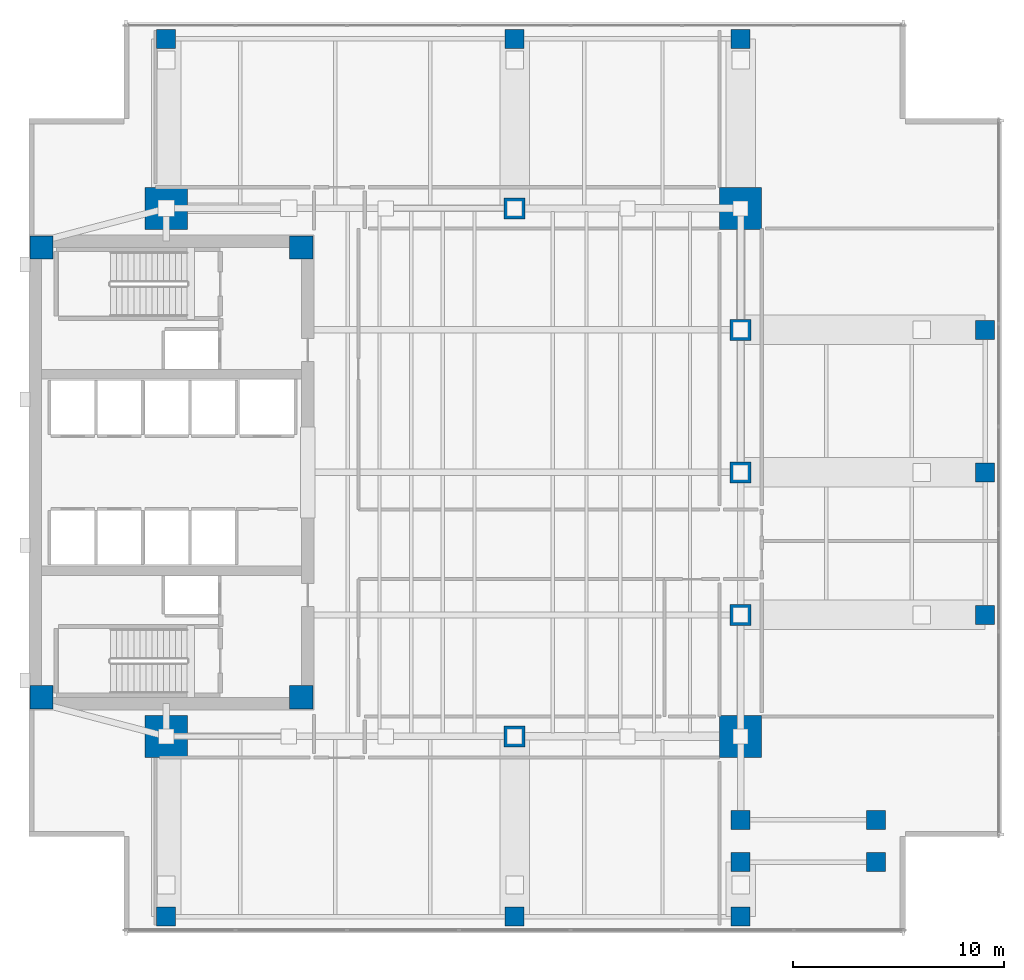
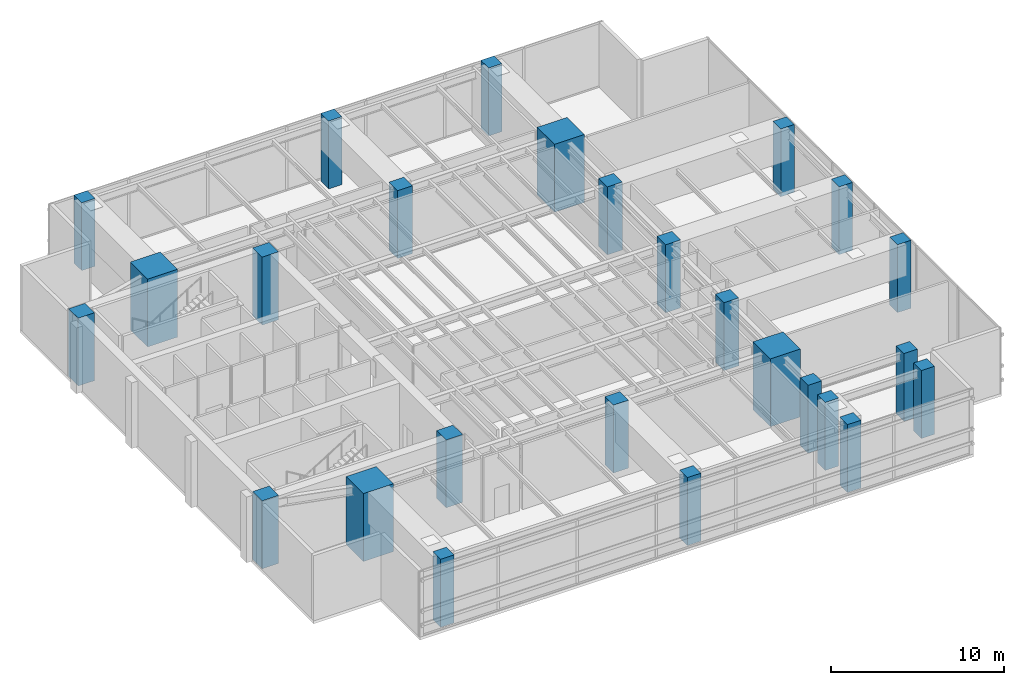
# One storey, part 1 of 14: 26 columns.
"""IFC4 building model written with IfcOpenShell, lengths in metres."""

import ifcopenshell
import ifcopenshell.guid

model = None  # the IFC model being written
_history = None  # IfcOwnerHistory: only IFC2X3 demands one
_inside = {}  # id of a spatial element -> (the spatial element, [elements in it])
_under = {}  # id of a project, library or spatial element -> (it, [spatial elements below it])
_declared = {}  # id of a project -> (the project, [libraries it declares])
_typed = {}  # id of a type object -> (the type object, [elements of that type])
_made_of = {}  # id of a material, layer set ... -> (it, [elements and type objects made of it])


def new_model(schema):
    """Start an empty IFC model of exactly this schema.

    Asked for "IFC4X3", IfcOpenShell would pick the latest addendum, in which some entities
    have other attributes; the version numbers below select the first issue.
    IFC2X3 requires an IfcOwnerHistory on every rooted entity: one is made here for all.
    """
    global model, _history
    if schema == "IFC4X3":
        model = ifcopenshell.file(schema_version=(4, 3, 0, 0))
    else:
        model = ifcopenshell.file(schema=schema)
    _inside.clear()
    _under.clear()
    _declared.clear()
    _typed.clear()
    _made_of.clear()
    _history = None
    if model.schema == "IFC2X3":
        org = make("IfcOrganization", Name="unknown")
        user = make(
            "IfcPersonAndOrganization",
            ThePerson=make("IfcPerson", FamilyName="unknown"),
            TheOrganization=org,
        )
        app = make(
            "IfcApplication",
            ApplicationDeveloper=org,
            Version="unknown",
            ApplicationFullName="unknown",
            ApplicationIdentifier="unknown",
        )
        _history = make(
            "IfcOwnerHistory",
            OwningUser=user,
            OwningApplication=app,
            ChangeAction="ADDED",
            CreationDate=0,
        )
    return model


def make(cls, **values):
    """One entity of the class cls with the attributes given. An attribute that is None is left unset."""
    return model.create_entity(
        cls, **{name: value for name, value in values.items() if value is not None}
    )


def rooted(cls, **values):
    """An entity with a GlobalId (a new one), such as an element, a storey or a relation."""
    return make(cls, GlobalId=ifcopenshell.guid.new(), OwnerHistory=_history, **values)


def si_unit(unit_type, name, prefix=None):
    """IfcSIUnit, for example si_unit("LENGTHUNIT", "METRE", prefix="MILLI")."""
    return make("IfcSIUnit", UnitType=unit_type, Prefix=prefix, Name=name)


def assignment(units):
    """IfcUnitAssignment: the units of a project."""
    return None if units is None else make("IfcUnitAssignment", Units=units)


def point(xyz):
    """IfcCartesianPoint."""
    return None if xyz is None else make("IfcCartesianPoint", Coordinates=xyz)


def direction(xyz):
    """IfcDirection."""
    return None if xyz is None else make("IfcDirection", DirectionRatios=xyz)


def frame(location, z_axis=None, x_axis=None):
    """IfcAxis2Placement3D, a coordinate frame: its origin and axes. An axis left out is left unset."""
    return make(
        "IfcAxis2Placement3D",
        Location=point(location),
        Axis=direction(z_axis),
        RefDirection=direction(x_axis),
    )


def frame_2d(location, x_axis=None):
    """IfcAxis2Placement2D, a coordinate frame in the plane: its origin and x axis."""
    return make(
        "IfcAxis2Placement2D", Location=point(location), RefDirection=direction(x_axis)
    )


def origin():
    """The frame at (0, 0, 0) with its axes left unset."""
    return frame((0.0, 0.0, 0.0))


def origin_2d():
    """The frame at (0, 0) in the plane with its x axis left unset."""
    return frame_2d((0.0, 0.0))


def place(relative_to, where):
    """IfcLocalPlacement: puts the frame where relative to a parent placement (None: the world)."""
    return make(
        "IfcLocalPlacement", PlacementRelTo=relative_to, RelativePlacement=where
    )


def context(
    kind, dimensions, precision=None, world=None, true_north=None, identifier=None
):
    """IfcGeometricRepresentationContext, for example the 3D "Model" context."""
    return make(
        "IfcGeometricRepresentationContext",
        ContextIdentifier=identifier,
        ContextType=kind,
        CoordinateSpaceDimension=dimensions,
        Precision=precision,
        WorldCoordinateSystem=world,
        TrueNorth=true_north,
    )


def subcontext(parent, identifier, kind, view, scale=None):
    """IfcGeometricRepresentationSubContext, for example "Body" below "Model"."""
    return make(
        "IfcGeometricRepresentationSubContext",
        ContextIdentifier=identifier,
        ContextType=kind,
        ParentContext=parent,
        TargetScale=scale,
        TargetView=view,
    )


def project(units=None, contexts=None):
    """IfcProject with its units and contexts."""
    return rooted(
        "IfcProject",
        Name="project",
        RepresentationContexts=contexts,
        UnitsInContext=assignment(units),
    )


def spatial(cls, under=None, at=None, **own):
    """A site, building, storey or space (cls), placed at a placement, below another one or the project."""
    s = rooted(cls, ObjectPlacement=at, **own)
    if under is not None:
        _under.setdefault(under.id(), (under, []))[1].append(s)
    return s


def profile(cls, at=None, kind="AREA", **sizes):
    """A parametric profile (cls). Its sizes go by their IFC names, for example OverallWidth=200.0."""
    return make(cls, ProfileType=kind, Position=at, **sizes)


def rectangle(**sizes):
    """IfcRectangleProfileDef."""
    return profile("IfcRectangleProfileDef", **sizes)


def extrude(swept, where, along, depth):
    """IfcExtrudedAreaSolid: the profile swept, set in the frame where, extruded along a direction by depth."""
    return make(
        "IfcExtrudedAreaSolid",
        SweptArea=swept,
        Position=where,
        ExtrudedDirection=direction(along),
        Depth=depth,
    )


def shape(context_of_items, identifier, shape_type, items):
    """IfcShapeRepresentation: the items that make up one representation, for example the "Body"."""
    return make(
        "IfcShapeRepresentation",
        ContextOfItems=context_of_items,
        RepresentationIdentifier=identifier,
        RepresentationType=shape_type,
        Items=items,
    )


def material(Name=None, Category=None):
    """IfcMaterial."""
    return make("IfcMaterial", Name=Name, Category=Category)


def material_profile(
    of_material, cross_section, Name=None, Category=None, Priority=None
):
    """IfcMaterialProfile: a cross section and its material."""
    return make(
        "IfcMaterialProfile",
        Name=Name,
        Material=of_material,
        Profile=cross_section,
        Priority=Priority,
        Category=Category,
    )


def profile_set(profiles, Name=None, composite=None):
    """IfcMaterialProfileSet."""
    return make(
        "IfcMaterialProfileSet",
        Name=Name,
        MaterialProfiles=profiles,
        CompositeProfile=composite,
    )


def made_of(thing, what):
    """Note that an element or type object is made of a material, layer set ...; save() writes the relation."""
    if what is not None:
        _made_of.setdefault(what.id(), (what, []))[1].append(thing)
    return thing


def type_object(cls, material=None, **own):
    """A type object (cls), such as IfcWallType, which elements share."""
    return made_of(rooted(cls, **own), material)


def element(
    cls,
    number,
    at=None,
    inside=None,
    cuts=None,
    type_object=None,
    material=None,
    context=None,
    identifier="Body",
    shape_type=None,
    held_by="IfcProductDefinitionShape",
    body=None,
    shapes=None,
    **own,
):
    """One element of the class cls, such as IfcWall. Its Tag is "e" and its number.

    at: its placement. inside: the storey or other place that contains it. cuts: it is an
    opening in that element (IfcRelVoidsElement). A single representation is given by context,
    identifier, shape_type and body (its items); several are given by shapes. held_by: the class
    of the entity that holds the representations. save() writes the other relations.
    """
    e = rooted(cls, Tag="e%d" % number, ObjectPlacement=at, **own)
    if body is not None:
        shapes = [shape(context, identifier, shape_type, body)]
    if shapes is not None:
        e.Representation = make(held_by, Representations=shapes)
    if inside is not None:
        _inside.setdefault(inside.id(), (inside, []))[1].append(e)
    if cuts is not None:
        rooted(
            "IfcRelVoidsElement", RelatingBuildingElement=cuts, RelatedOpeningElement=e
        )
    if type_object is not None:
        _typed.setdefault(type_object.id(), (type_object, []))[1].append(e)
    return made_of(e, material)


def aggregate(whole, parts):
    """IfcRelAggregates: a whole, such as a stair, and the parts it consists of."""
    return rooted("IfcRelAggregates", RelatingObject=whole, RelatedObjects=parts)


def save(model, path):
    """Write the relations noted so far, then the file.

    IfcRelAggregates (storeys below a building ...), IfcRelContainedInSpatialStructure (elements
    in a storey), IfcRelDefinesByType, IfcRelAssociatesMaterial and IfcRelDeclares: one each for
    every whole, place, type object, material and project.
    """
    for whole, parts in _under.values():
        aggregate(whole, parts)
    for where, things in _inside.values():
        rooted(
            "IfcRelContainedInSpatialStructure",
            RelatedElements=things,
            RelatingStructure=where,
        )
    for kind, things in _typed.values():
        rooted("IfcRelDefinesByType", RelatedObjects=things, RelatingType=kind)
    for what, things in _made_of.values():
        rooted("IfcRelAssociatesMaterial", RelatedObjects=things, RelatingMaterial=what)
    for by, libraries in _declared.values():
        rooted("IfcRelDeclares", RelatingContext=by, RelatedDefinitions=libraries)
    model.write(path)


model = new_model("IFC4")

# Units and contexts
model_context = context("Model", 3, precision=1e-05, world=origin(), true_north=direction((0.0, 1.0)))
body_context = subcontext(model_context, "Body", "Model", "MODEL_VIEW")
ifc_project = project(units=[si_unit("LENGTHUNIT", "METRE"), si_unit("AREAUNIT", "SQUARE_METRE"), si_unit("VOLUMEUNIT", "CUBIC_METRE"), si_unit("PLANEANGLEUNIT", "RADIAN"), si_unit("MASSUNIT", "GRAM", prefix="KILO")], contexts=[model_context])

# Site, building, storey
site_placement = place(None, origin())
site = spatial("IfcSite", under=ifc_project, at=site_placement, CompositionType="ELEMENT")
building_placement = place(site_placement, origin())
building = spatial("IfcBuilding", under=site, at=building_placement, Name="Kinhvarn Gate Tower", CompositionType="ELEMENT")
storey_placement = place(building_placement, frame((0.0, 0.0, 173.25)))
storey = spatial("IfcBuildingStorey", under=building, at=storey_placement, Name="L46", CompositionType="ELEMENT", Elevation=173.25)

# Columns
ifc_material = material(Name="Concrete C60/75", Category="concrete")
ifc_material_profile_1 = material_profile(ifc_material, rectangle(XDim=2.0, YDim=2.0, at=origin_2d()), Name="RC 2000x2000")
ifc_profile_set_1 = profile_set([ifc_material_profile_1], Name="Concrete C60/75")
column_type_1 = type_object("IfcColumnType", Name="COL-MC-2000", PredefinedType="COLUMN", material=ifc_profile_set_1)
for number, where, z_axis, x_axis, name in (
    (1, (11.0, 12.75, 0.0), (0.0, 0.0, 1.0), (1.0, 0.0, 0.0), "Column MC1-L46 (MC-20)"),
    (2, (11.0, 37.75, 0.0), (0.0, 0.0, 1.0), (1.0, 0.0, 0.0), "Column MC4-L46 (MC-20)"),
    (3, (38.199951171875, 12.75, 0.0), (0.0, 0.0, 1.0), (1.0, 0.0, 0.0), "Column MC2-L46 (MC-20)"),
    (4, (38.199951171875, 37.75, 0.0), (0.0, 0.0, 1.0), (1.0, 0.0, 0.0), "Column MC3-L46 (MC-20)"),
):
    element("IfcColumn", number, at=place(storey_placement, frame(where, z_axis=z_axis, x_axis=x_axis)), inside=storey, type_object=column_type_1, Name=name, PredefinedType="COLUMN", context=body_context, shape_type="SweptSolid", body=[
        extrude(rectangle(XDim=2.0, YDim=2.0, at=origin_2d()), origin(), (0.0, 0.0, 1.0), 4.800048828125),
    ])
ifc_material_profile_2 = material_profile(ifc_material, rectangle(XDim=1.0, YDim=1.0, at=origin_2d()), Name="RC 1000x1000")
ifc_profile_set_2 = profile_set([ifc_material_profile_2], Name="Concrete C60/75")
column_type_2 = type_object("IfcColumnType", Name="COL-RC-1000", PredefinedType="COLUMN", material=ifc_profile_set_2)
for number, where, z_axis, x_axis, name in (
    (5, (27.5, 12.75, 0.0), (0.0, 0.0, 1.0), (1.0, 0.0, 0.0), "Column SP27-S-L46 (C-100)"),
    (6, (27.5, 37.75, 0.0), (0.0, 0.0, 1.0), (1.0, 0.0, 0.0), "Column SP27-N-L46 (C-100)"),
    (7, (38.199951171875, 18.5, 0.0), (0.0, 0.0, 1.0), (1.0, 0.0, 0.0), "Column SP38-E1-L46 (C-100)"),
    (8, (38.199951171875, 25.25, 0.0), (0.0, 0.0, 1.0), (1.0, 0.0, 0.0), "Column SP38-E2-L46 (C-100)"),
    (9, (38.199951171875, 32.0, 0.0), (0.0, 0.0, 1.0), (1.0, 0.0, 0.0), "Column SP38-E3-L46 (C-100)"),
):
    element("IfcColumn", number, at=place(storey_placement, frame(where, z_axis=z_axis, x_axis=x_axis)), inside=storey, type_object=column_type_2, Name=name, PredefinedType="COLUMN", context=body_context, shape_type="SweptSolid", body=[
        extrude(rectangle(XDim=1.0, YDim=1.0, at=origin_2d()), origin(), (0.0, 0.0, 1.0), 4.800048828125),
    ])
ifc_material_profile_3 = material_profile(ifc_material, rectangle(XDim=0.89990234375, YDim=0.89990234375, at=origin_2d()), Name="RC 900x900")
ifc_profile_set_3 = profile_set([ifc_material_profile_3], Name="Concrete C60/75")
column_type_3 = type_object("IfcColumnType", Name="COL-RC-900", PredefinedType="COLUMN", material=ifc_profile_set_3)
for number, where, z_axis, x_axis, name in (
    (10, (38.199951171875, 6.800048828125, 0.0), (0.0, 0.0, 1.0), (1.0, 0.0, 0.0), "Column CS-ANC68-L46 (C-090)"),
    (11, (38.199951171875, 8.800048828125, 0.0), (0.0, 0.0, 1.0), (1.0, 0.0, 0.0), "Column CS-ANC88-L46 (C-090)"),
    (12, (44.6201171875, 6.800048828125, 0.0), (0.0, 0.0, 1.0), (1.0, 0.0, 0.0), "Column CS-SE2-L46 (C-090)"),
    (13, (44.6201171875, 8.800048828125, 0.0), (0.0, 0.0, 1.0), (1.0, 0.0, 0.0), "Column CS-SE2B-L46 (C-090)"),
    (14, (49.780029296875, 18.5, 0.0), (0.0, 0.0, 1.0), (1.0, 0.0, 0.0), "Column CE-1-L46 (C-090)"),
    (15, (49.780029296875, 25.25, 0.0), (0.0, 0.0, 1.0), (1.0, 0.0, 0.0), "Column CE-2-L46 (C-090)"),
    (16, (49.780029296875, 32.0, 0.0), (0.0, 0.0, 1.0), (1.0, 0.0, 0.0), "Column CE-3-L46 (C-090)"),
    (17, (11.0, 4.219970703125, 0.0), (0.0, 0.0, 1.0), (1.0, 0.0, 0.0), "Column CS-0-L46 (C-090)"),
    (18, (27.5, 4.219970703125, 0.0), (0.0, 0.0, 1.0), (1.0, 0.0, 0.0), "Column CS-1-L46 (C-090)"),
    (19, (38.199951171875, 4.219970703125, 0.0), (0.0, 0.0, 1.0), (1.0, 0.0, 0.0), "Column CS-2-L46 (C-090)"),
    (20, (11.0, 45.780029296875, 0.0), (0.0, 0.0, 1.0), (1.0, 0.0, 0.0), "Column CN-0-L46 (C-090)"),
    (21, (27.5, 45.780029296875, 0.0), (0.0, 0.0, 1.0), (1.0, 0.0, 0.0), "Column CN-1-L46 (C-090)"),
    (22, (38.199951171875, 45.780029296875, 0.0), (0.0, 0.0, 1.0), (1.0, 0.0, 0.0), "Column CN-2-L46 (C-090)"),
):
    element("IfcColumn", number, at=place(storey_placement, frame(where, z_axis=z_axis, x_axis=x_axis)), inside=storey, type_object=column_type_3, Name=name, PredefinedType="COLUMN", context=body_context, shape_type="SweptSolid", body=[
        extrude(rectangle(XDim=0.89990234375, YDim=0.89990234375, at=origin_2d()), origin(), (0.0, 0.0, 1.0), 4.800048828125),
    ])
ifc_material_profile_4 = material_profile(ifc_material, rectangle(XDim=1.10009765625, YDim=1.10009765625, at=origin_2d()), Name="RC 1100x1100")
ifc_profile_set_4 = profile_set([ifc_material_profile_4], Name="Concrete C60/75")
column_type_4 = type_object("IfcColumnType", Name="PIL-RC-1100", PredefinedType="PILASTER", material=ifc_profile_set_4)
for number, where, z_axis, x_axis, name in (
    (23, (5.10009765625, 14.60009765625, 0.0), (0.0, 0.0, 1.0), (1.0, 0.0, 0.0), "Column CC-SW-L46 (CP-110)"),
    (24, (5.10009765625, 35.89990234375, 0.0), (0.0, 0.0, 1.0), (1.0, 0.0, 0.0), "Column CC-NW-L46 (CP-110)"),
    (25, (17.39990234375, 14.60009765625, 0.0), (0.0, 0.0, 1.0), (1.0, 0.0, 0.0), "Column CC-SE-L46 (CP-110)"),
    (26, (17.39990234375, 35.89990234375, 0.0), (0.0, 0.0, 1.0), (1.0, 0.0, 0.0), "Column CC-NE-L46 (CP-110)"),
):
    element("IfcColumn", number, at=place(storey_placement, frame(where, z_axis=z_axis, x_axis=x_axis)), inside=storey, type_object=column_type_4, Name=name, PredefinedType="PILASTER", context=body_context, shape_type="SweptSolid", body=[
        extrude(rectangle(XDim=1.10009765625, YDim=1.10009765625, at=origin_2d()), origin(), (0.0, 0.0, 1.0), 4.800048828125),
    ])

save(model, "model.ifc")
